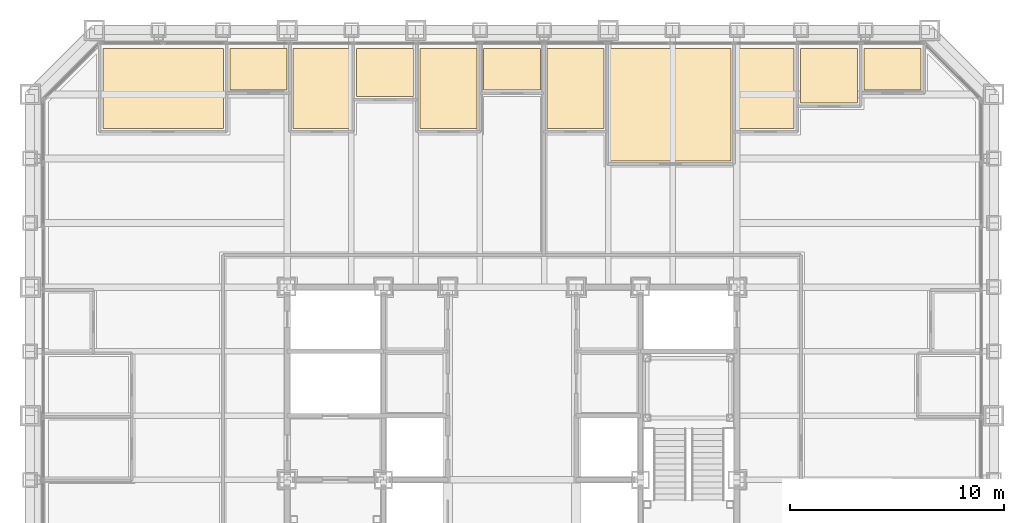
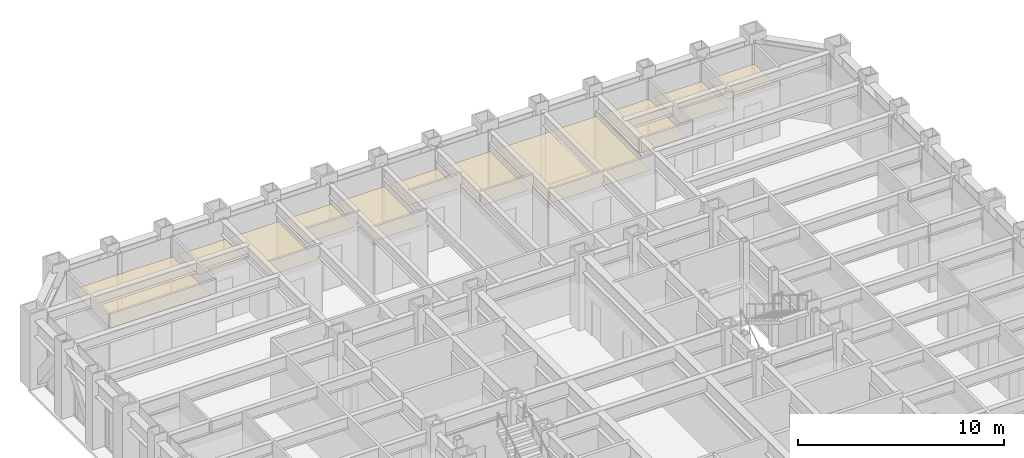
# One storey, part 16 of 16: 11 coverings.
"""IFC4 building model written with IfcOpenShell, lengths in metres."""

from ifc_helpers import new_model, si_unit, direction, frame, origin, place, context, subcontext, project, spatial, polyline, outline, extrude, material, layer, layer_set, type_object, element, save


model = new_model("IFC4")

# Units and contexts
model_context = context("Model", 3, precision=1e-05, world=origin(), true_north=direction((0.0, 1.0)))
body_context = subcontext(model_context, "Body", "Model", "MODEL_VIEW")
ifc_project = project(units=[si_unit("LENGTHUNIT", "METRE"), si_unit("AREAUNIT", "SQUARE_METRE"), si_unit("VOLUMEUNIT", "CUBIC_METRE"), si_unit("PLANEANGLEUNIT", "RADIAN"), si_unit("MASSUNIT", "GRAM", prefix="KILO")], contexts=[model_context])

# Site, building, storey
site_placement = place(None, origin())
site = spatial("IfcSite", under=ifc_project, at=site_placement, CompositionType="ELEMENT")
building_placement = place(site_placement, origin())
building = spatial("IfcBuilding", under=site, at=building_placement, Name="Chuquiago Exchange Tower", CompositionType="ELEMENT")
storey_placement = place(building_placement, frame((0.0, 0.0, 55.800048828125)))
storey = spatial("IfcBuildingStorey", under=building, at=storey_placement, Name="L11", CompositionType="ELEMENT", Elevation=55.800048828125)

# Coverings
ifc_material = material(Name="Mineral fibre tile, 600 x 600, on pale metal grid", Category="mineral fibre")
ifc_layer = layer(ifc_material, 0.02001953125)
ifc_layer_set = layer_set([ifc_layer], Name="CL1 suspended tile ceiling 20")
covering_type = type_object("IfcCoveringType", Name="CL1 suspended tile ceiling 20", PredefinedType="CEILING", material=ifc_layer_set)
covering_1_placement = place(storey_placement, frame((0.0, 0.0, 3.0)))
element("IfcCovering", 1, at=covering_1_placement, inside=storey, type_object=covering_type, Name="Ceiling Meeting room", PredefinedType="CEILING", context=body_context, shape_type="SweptSolid", body=[
    extrude(outline(polyline([(9.022216796875, 44.14990234375), (9.022216796875, 40.39990234375), (3.3984375, 40.39990234375), (3.3984375, 44.14990234375), (9.022216796875, 44.14990234375)])), origin(), (0.0, 0.0, 1.0), 0.02001953125),
])
covering_2_placement = place(storey_placement, frame((0.0, 0.0, 3.0)))
element("IfcCovering", 2, at=covering_2_placement, inside=storey, type_object=covering_type, Name="Ceiling Focus room", PredefinedType="CEILING", context=body_context, shape_type="SweptSolid", body=[
    extrude(outline(polyline([(11.98388671875, 42.199951171875), (9.322021484375, 42.199951171875), (9.322021484375, 44.14990234375), (11.98388671875, 44.14990234375), (11.98388671875, 42.199951171875)])), origin(), (0.0, 0.0, 1.0), 0.02001953125),
])
covering_3_placement = place(storey_placement, frame((0.0, 0.0, 3.0)))
element("IfcCovering", 3, at=covering_3_placement, inside=storey, type_object=covering_type, Name="Ceiling Office", PredefinedType="CEILING", context=body_context, shape_type="SweptSolid", body=[
    extrude(outline(polyline([(14.945556640625, 40.39990234375), (12.28369140625, 40.39990234375), (12.28369140625, 44.14990234375), (14.945556640625, 44.14990234375), (14.945556640625, 40.39990234375)])), origin(), (0.0, 0.0, 1.0), 0.02001953125),
])
covering_4_placement = place(storey_placement, frame((0.0, 0.0, 3.0)))
element("IfcCovering", 4, at=covering_4_placement, inside=storey, type_object=covering_type, Name="Ceiling Store", PredefinedType="CEILING", context=body_context, shape_type="SweptSolid", body=[
    extrude(outline(polyline([(17.907470703125, 41.89990234375), (15.24560546875, 41.89990234375), (15.24560546875, 44.14990234375), (17.907470703125, 44.14990234375), (17.907470703125, 41.89990234375)])), origin(), (0.0, 0.0, 1.0), 0.02001953125),
])
covering_5_placement = place(storey_placement, frame((0.0, 0.0, 3.0)))
element("IfcCovering", 5, at=covering_5_placement, inside=storey, type_object=covering_type, Name="Ceiling Trading support room", PredefinedType="CEILING", context=body_context, shape_type="SweptSolid", body=[
    extrude(outline(polyline([(20.869140625, 40.39990234375), (18.20751953125, 40.39990234375), (18.20751953125, 44.14990234375), (20.869140625, 44.14990234375), (20.869140625, 40.39990234375)])), origin(), (0.0, 0.0, 1.0), 0.02001953125),
])
covering_6_placement = place(storey_placement, frame((0.0, 0.0, 3.0)))
element("IfcCovering", 6, at=covering_6_placement, inside=storey, type_object=covering_type, Name="Ceiling Focus room", PredefinedType="CEILING", context=body_context, shape_type="SweptSolid", body=[
    extrude(outline(polyline([(23.830810546875, 42.199951171875), (21.169189453125, 42.199951171875), (21.169189453125, 44.14990234375), (23.830810546875, 44.14990234375), (23.830810546875, 42.199951171875)])), origin(), (0.0, 0.0, 1.0), 0.02001953125),
])
covering_7_placement = place(storey_placement, frame((0.0, 0.0, 3.0)))
element("IfcCovering", 7, at=covering_7_placement, inside=storey, type_object=covering_type, Name="Ceiling Office", PredefinedType="CEILING", context=body_context, shape_type="SweptSolid", body=[
    extrude(outline(polyline([(26.79248046875, 40.39990234375), (24.130859375, 40.39990234375), (24.130859375, 44.14990234375), (26.79248046875, 44.14990234375), (26.79248046875, 40.39990234375)])), origin(), (0.0, 0.0, 1.0), 0.02001953125),
])
covering_8_placement = place(storey_placement, frame((0.0, 0.0, 3.0)))
element("IfcCovering", 8, at=covering_8_placement, inside=storey, type_object=covering_type, Name="Ceiling Market data room", PredefinedType="CEILING", context=body_context, shape_type="SweptSolid", body=[
    extrude(outline(polyline([(32.71630859375, 38.89990234375), (27.092529296875, 38.89990234375), (27.092529296875, 44.14990234375), (32.71630859375, 44.14990234375), (32.71630859375, 38.89990234375)])), origin(), (0.0, 0.0, 1.0), 0.02001953125),
])
covering_9_placement = place(storey_placement, frame((0.0, 0.0, 3.0)))
element("IfcCovering", 9, at=covering_9_placement, inside=storey, type_object=covering_type, Name="Ceiling Office", PredefinedType="CEILING", context=body_context, shape_type="SweptSolid", body=[
    extrude(outline(polyline([(35.677978515625, 40.39990234375), (33.01611328125, 40.39990234375), (33.01611328125, 44.14990234375), (35.677978515625, 44.14990234375), (35.677978515625, 40.39990234375)])), origin(), (0.0, 0.0, 1.0), 0.02001953125),
])
covering_10_placement = place(storey_placement, frame((0.0, 0.0, 3.0)))
element("IfcCovering", 10, at=covering_10_placement, inside=storey, type_object=covering_type, Name="Ceiling Pantry", PredefinedType="CEILING", context=body_context, shape_type="SweptSolid", body=[
    extrude(outline(polyline([(38.6396484375, 41.60009765625), (35.977783203125, 41.60009765625), (35.977783203125, 44.14990234375), (38.6396484375, 44.14990234375), (38.6396484375, 41.60009765625)])), origin(), (0.0, 0.0, 1.0), 0.02001953125),
])
covering_11_placement = place(storey_placement, frame((0.0, 0.0, 3.0)))
element("IfcCovering", 11, at=covering_11_placement, inside=storey, type_object=covering_type, Name="Ceiling Focus room", PredefinedType="CEILING", context=body_context, shape_type="SweptSolid", body=[
    extrude(outline(polyline([(41.6015625, 42.199951171875), (38.939697265625, 42.199951171875), (38.939697265625, 44.14990234375), (41.6015625, 44.14990234375), (41.6015625, 42.199951171875)])), origin(), (0.0, 0.0, 1.0), 0.02001953125),
])

save(model, "model.ifc")
